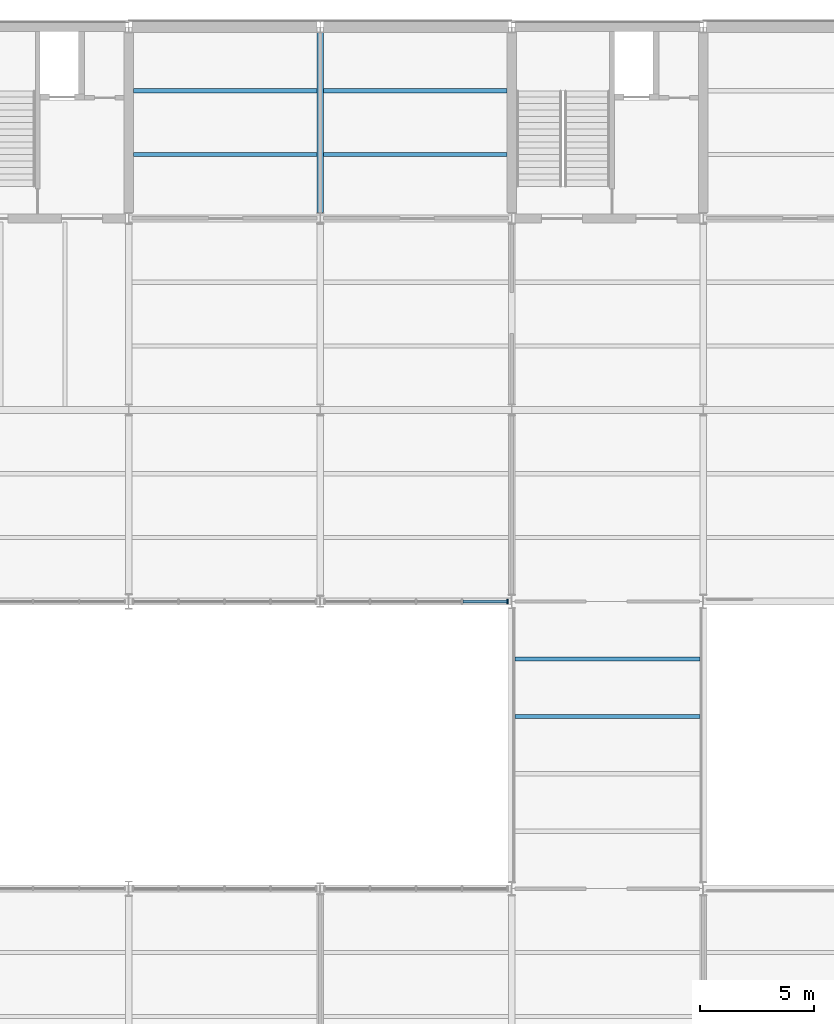
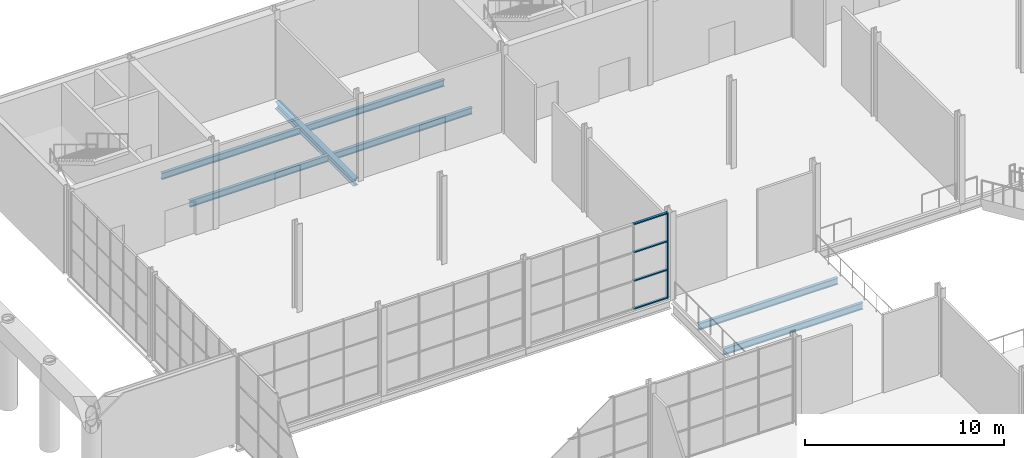
# One storey, part 20 of 64: 7 beams, 5 members, 1 element without a shape of its own.
"""IFC4 building model written with IfcOpenShell, lengths in metres."""

from ifc_helpers import new_model, si_unit, direction, frame, origin, origin_2d, place, context, subcontext, project, spatial, rectangle, i_section, extrude, material, layer, layer_set, material_profile, profile_set, type_object, element, aggregate, save


model = new_model("IFC4")

# Units and contexts
model_context = context("Model", 3, precision=1e-05, world=origin(), true_north=direction((0.0, 1.0)))
body_context = subcontext(model_context, "Body", "Model", "MODEL_VIEW")
ifc_project = project(units=[si_unit("LENGTHUNIT", "METRE"), si_unit("AREAUNIT", "SQUARE_METRE"), si_unit("VOLUMEUNIT", "CUBIC_METRE"), si_unit("PLANEANGLEUNIT", "RADIAN"), si_unit("MASSUNIT", "GRAM", prefix="KILO")], contexts=[model_context])

# Site, building, storey
site_placement = place(None, origin())
site = spatial("IfcSite", under=ifc_project, at=site_placement, CompositionType="ELEMENT")
building_placement = place(site_placement, origin())
building = spatial("IfcBuilding", under=site, at=building_placement, Name="Galleria Vessillo Department Store", CompositionType="ELEMENT")
storey_placement = place(building_placement, frame((0.0, 0.0, 6.0)))
storey = spatial("IfcBuildingStorey", under=building, at=storey_placement, Name="L01", CompositionType="ELEMENT", Elevation=6.0)

# Curtain wall, members
ifc_material_1 = material(Name="Aluminium and glass curtain wall", Category="aluminium")
ifc_layer = layer(ifc_material_1, 0.199951171875)
ifc_layer_set = layer_set([ifc_layer], Name="Aluminium and glass curtain wall")
curtain_wall_type = type_object("IfcCurtainWallType", Name="Arcade curtain wall CW1 2100 module", PredefinedType="NOTDEFINED", material=ifc_layer_set)
curtain_wall_placement = place(storey_placement, origin())
curtain_wall = element("IfcCurtainWall", 1, at=curtain_wall_placement, inside=storey, type_object=curtain_wall_type, Name="Arcade curtain wall CW1 2100 module AI-AW-N-L01-02", PredefinedType="NOTDEFINED")
ifc_material_2 = material(Name="Aluminium alloy 6063 T6", Category="aluminium")
ifc_material_profile_1 = material_profile(ifc_material_2, rectangle(XDim=0.199951171875, YDim=0.06005859375, at=origin_2d()), Name="AL 60x200")
ifc_profile_set_1 = profile_set([ifc_material_profile_1], Name="Aluminium alloy 6063 T6")
member_type_1 = type_object("IfcMemberType", Name="Aluminium mullion 60 x 200", PredefinedType="MULLION", material=ifc_profile_set_1)
member_1_placement = place(storey_placement, frame((33.41748046875, 37.800048828125, 0.0), z_axis=(0.0, 0.0, 1.0), x_axis=(0.0, 1.0, 0.0)))
member_1 = element("IfcMember", 2, at=member_1_placement, type_object=member_type_1, Name="CW1 mullion 5", PredefinedType="MULLION", context=body_context, shape_type="SweptSolid", body=[
    extrude(rectangle(XDim=0.199951171875, YDim=0.06005859375, at=origin_2d()), origin(), (0.0, 0.0, 1.0), 5.25),
])
ifc_material_3 = material(Name="Aluminium alloy 6063 T6", Category="aluminium")
ifc_material_profile_2 = material_profile(ifc_material_3, rectangle(XDim=0.139892578125, YDim=0.070068359375, at=origin_2d()), Name="AL 70x140")
ifc_profile_set_2 = profile_set([ifc_material_profile_2], Name="Aluminium alloy 6063 T6")
member_type_2 = type_object("IfcMemberType", Name="Aluminium transom 70 x 140", PredefinedType="USERDEFINED", material=ifc_profile_set_2)
member_2_placement = place(storey_placement, frame((31.453857421875, 37.800048828125, 0.034912109375), z_axis=(1.0, 0.0, 0.0), x_axis=(0.0, 1.0, 0.0)))
member_2 = element("IfcMember", 3, at=member_2_placement, type_object=member_type_2, Name="CW1 transom 4.1", ObjectType="TRANSOM", PredefinedType="USERDEFINED", context=body_context, shape_type="SweptSolid", body=[
    extrude(rectangle(XDim=0.139892578125, YDim=0.070068359375, at=origin_2d()), origin(), (0.0, 0.0, 1.0), 1.93359375),
])
member_3_placement = place(storey_placement, frame((31.453857421875, 37.800048828125, 1.75), z_axis=(1.0, 0.0, 0.0), x_axis=(0.0, 1.0, 0.0)))
member_3 = element("IfcMember", 4, at=member_3_placement, type_object=member_type_2, Name="CW1 transom 4.2", ObjectType="TRANSOM", PredefinedType="USERDEFINED", context=body_context, shape_type="SweptSolid", body=[
    extrude(rectangle(XDim=0.139892578125, YDim=0.070068359375, at=origin_2d()), origin(), (0.0, 0.0, 1.0), 1.93359375),
])
member_4_placement = place(storey_placement, frame((31.453857421875, 37.800048828125, 3.5), z_axis=(1.0, 0.0, 0.0), x_axis=(0.0, 1.0, 0.0)))
member_4 = element("IfcMember", 5, at=member_4_placement, type_object=member_type_2, Name="CW1 transom 4.3", ObjectType="TRANSOM", PredefinedType="USERDEFINED", context=body_context, shape_type="SweptSolid", body=[
    extrude(rectangle(XDim=0.139892578125, YDim=0.070068359375, at=origin_2d()), origin(), (0.0, 0.0, 1.0), 1.93359375),
])
member_5_placement = place(storey_placement, frame((31.453857421875, 37.800048828125, 5.215087890625), z_axis=(1.0, 0.0, 0.0), x_axis=(0.0, 1.0, 0.0)))
member_5 = element("IfcMember", 6, at=member_5_placement, type_object=member_type_2, Name="CW1 transom 4.4", ObjectType="TRANSOM", PredefinedType="USERDEFINED", context=body_context, shape_type="SweptSolid", body=[
    extrude(rectangle(XDim=0.139892578125, YDim=0.070068359375, at=origin_2d()), origin(), (0.0, 0.0, 1.0), 1.93359375),
])
aggregate(curtain_wall, [member_1, member_2, member_3, member_4, member_5])

# Beams
ifc_material_4 = material(Name="Steel S355 J2", Category="steel")
ifc_material_profile_3 = material_profile(ifc_material_4, i_section(OverallWidth=0.300048828125, OverallDepth=0.43994140625, WebThickness=0.011474609375, FlangeThickness=0.02099609375, FilletRadius=0.027099609375, at=origin_2d()), Name="HEA 450")
ifc_profile_set_3 = profile_set([ifc_material_profile_3], Name="Steel S355 J2")
beam_type_1 = type_object("IfcBeamType", Name="Floor girder HEA 450", PredefinedType="BEAM", material=ifc_profile_set_3)
beam_placement = place(storey_placement, frame((25.199951171875, 54.85009765625, -0.369873046875), z_axis=(0.0, 1.0, 0.0), x_axis=(-1.0, 0.0, 0.0)))
element("IfcBeam", 7, at=beam_placement, inside=storey, type_object=beam_type_1, Name="S-BM-L01-GI-y25200-54850", PredefinedType="BEAM", context=body_context, shape_type="SweptSolid", body=[
    extrude(i_section(OverallWidth=0.300048828125, OverallDepth=0.43994140625, WebThickness=0.011474609375, FlangeThickness=0.02099609375, FilletRadius=0.027099609375, at=origin_2d()), origin(), (0.0, 0.0, 1.0), 7.899658203125),
])
ifc_material_5 = material(Name="Steel S355 J2", Category="steel")
ifc_material_profile_4 = material_profile(ifc_material_5, i_section(OverallWidth=0.179931640625, OverallDepth=0.39990234375, WebThickness=0.008544921875, FlangeThickness=0.013427734375, FilletRadius=0.02099609375, at=origin_2d()), Name="IPE 400")
ifc_profile_set_4 = profile_set([ifc_material_profile_4], Name="Steel S355 J2")
beam_type_2 = type_object("IfcBeamType", Name="Floor joist IPE 400", PredefinedType="JOIST", material=ifc_profile_set_4)
for number, where, z_axis, x_axis, name in (
    (8, (17.000244140625, 57.39990234375, -0.349853515625), (1.0, 0.0, 0.0), (0.0, 1.0, 0.0), "S-BM-L01-JO-x57400-17000"),
    (9, (17.000244140625, 60.199951171875, -0.349853515625), (1.0, 0.0, 0.0), (0.0, 1.0, 0.0), "S-BM-L01-JO-x60200-17000"),
):
    element("IfcBeam", number, at=place(storey_placement, frame(where, z_axis=z_axis, x_axis=x_axis)), inside=storey, type_object=beam_type_2, Name=name, PredefinedType="JOIST", context=body_context, shape_type="SweptSolid", body=[
        extrude(i_section(OverallWidth=0.179931640625, OverallDepth=0.39990234375, WebThickness=0.008544921875, FlangeThickness=0.013427734375, FilletRadius=0.02099609375, at=origin_2d()), origin(), (0.0, 0.0, 1.0), 8.049560546875),
    ])
for number, where, z_axis, x_axis, name in (
    (10, (25.35009765625, 57.39990234375, -0.349853515625), (1.0, 0.0, 0.0), (0.0, 1.0, 0.0), "S-BM-L01-JO-x57400-25350"),
    (11, (25.35009765625, 60.199951171875, -0.349853515625), (1.0, 0.0, 0.0), (0.0, 1.0, 0.0), "S-BM-L01-JO-x60200-25350"),
):
    element("IfcBeam", number, at=place(storey_placement, frame(where, z_axis=z_axis, x_axis=x_axis)), inside=storey, type_object=beam_type_2, Name=name, PredefinedType="JOIST", context=body_context, shape_type="SweptSolid", body=[
        extrude(i_section(OverallWidth=0.179931640625, OverallDepth=0.39990234375, WebThickness=0.008544921875, FlangeThickness=0.013427734375, FilletRadius=0.02099609375, at=origin_2d()), origin(), (0.0, 0.0, 1.0), 8.0498046875),
    ])
for number, where, z_axis, x_axis, name in (
    (12, (33.750244140625, 32.760009765625, -0.349853515625), (1.0, 0.0, 0.0), (0.0, 1.0, 0.0), "S-BM-L01-JO-x32760-33750"),
    (13, (33.750244140625, 35.280029296875, -0.349853515625), (1.0, 0.0, 0.0), (0.0, 1.0, 0.0), "S-BM-L01-JO-x35280-33750"),
):
    element("IfcBeam", number, at=place(storey_placement, frame(where, z_axis=z_axis, x_axis=x_axis)), inside=storey, type_object=beam_type_2, Name=name, PredefinedType="JOIST", context=body_context, shape_type="SweptSolid", body=[
        extrude(i_section(OverallWidth=0.179931640625, OverallDepth=0.39990234375, WebThickness=0.008544921875, FlangeThickness=0.013427734375, FilletRadius=0.02099609375, at=origin_2d()), origin(), (0.0, 0.0, 1.0), 8.099609375),
    ])

save(model, "model.ifc")
